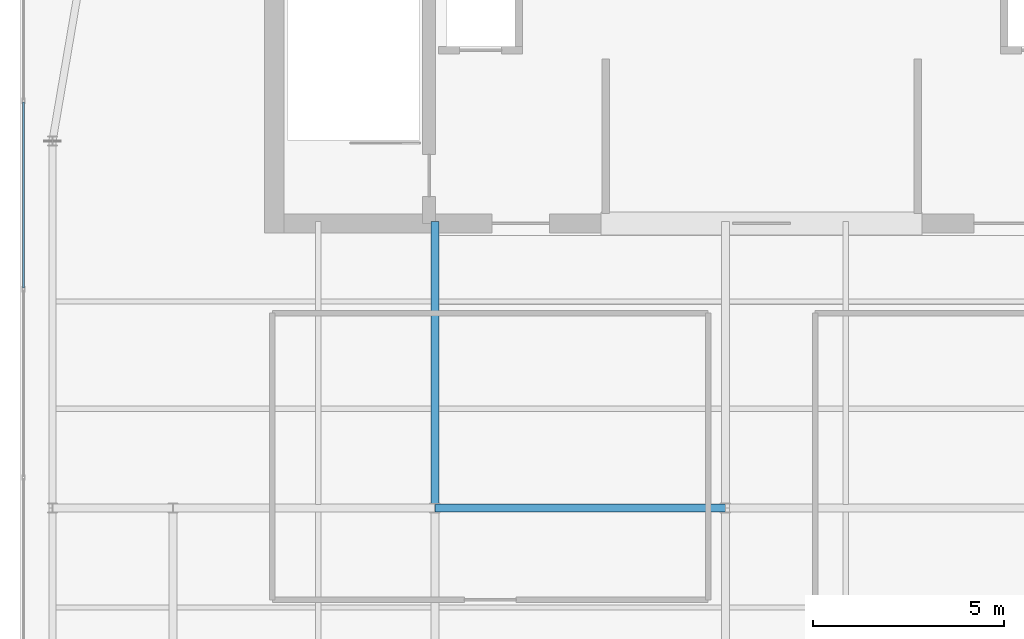
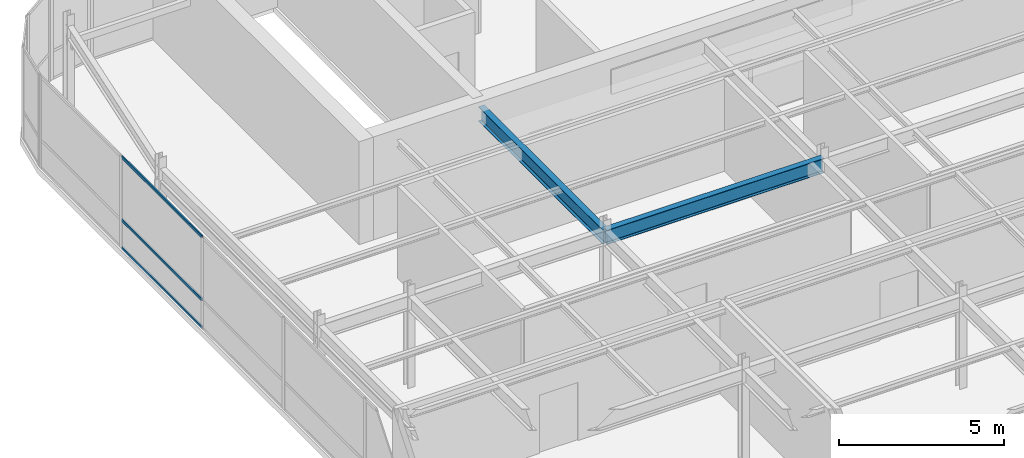
# One storey, part 18 of 35: 3 members, 2 beams, 1 element without a shape of its own.
"""IFC4 building model written with IfcOpenShell, lengths in metres."""

from ifc_helpers import new_model, si_unit, direction, frame, origin, origin_2d, place, context, subcontext, project, spatial, hollow_rectangle, i_section, extrude, source, transform, mapped, material, layer, layer_set, material_profile, profile_set, type_object, type_shapes, element, aggregate, save


model = new_model("IFC4")

# Units and contexts
model_context = context("Model", 3, precision=1e-05, world=origin(), true_north=direction((0.0, 1.0)))
body_context = subcontext(model_context, "Body", "Model", "MODEL_VIEW")
ifc_project = project(units=[si_unit("LENGTHUNIT", "METRE"), si_unit("AREAUNIT", "SQUARE_METRE"), si_unit("VOLUMEUNIT", "CUBIC_METRE"), si_unit("PLANEANGLEUNIT", "RADIAN"), si_unit("MASSUNIT", "GRAM", prefix="KILO")], contexts=[model_context])

# Site, building, storey
site_placement = place(None, origin())
site = spatial("IfcSite", under=ifc_project, at=site_placement, CompositionType="ELEMENT")
building_placement = place(site_placement, origin())
building = spatial("IfcBuilding", under=site, at=building_placement, Name="Tolvann Quenvar Hotel", CompositionType="ELEMENT")
storey_placement = place(building_placement, frame((0.0, 0.0, 309.949951171875)))
storey = spatial("IfcBuildingStorey", under=building, at=storey_placement, Name="L82", CompositionType="ELEMENT", Elevation=309.949951171875)

# Beams
ifc_material_1 = material(Name="Steel Grade 350", Category="steel")
ifc_material_profile_1 = material_profile(ifc_material_1, i_section(OverallWidth=0.208984375, OverallDepth=0.532958984375, WebThickness=0.01025390625, FlangeThickness=0.015625, FilletRadius=0.013916015625, at=origin_2d()), Name="530UB92")
ifc_profile_set_1 = profile_set([ifc_material_profile_1], Name="Steel Grade 350")
beam_type = type_object("IfcBeamType", Name="BM_GIRD_530UB92", PredefinedType="BEAM", material=ifc_profile_set_1)
shared_shape_1 = source(origin(), body_context, "Body", "SweptSolid", [
    extrude(i_section(OverallWidth=0.208984375, OverallDepth=0.532958984375, WebThickness=0.01025390625, FlangeThickness=0.015625, FilletRadius=0.013916015625, at=origin_2d()), origin(), (0.0, 0.0, 1.0), 7.60009765625),
])
beam_1_placement = place(storey_placement, frame((14.449951171875, 24.39990234375, 3.133544921875), z_axis=(1.0, 0.0, 0.0), x_axis=(0.0, 1.0, 0.0)))
element("IfcBeam", 1, at=beam_1_placement, inside=storey, type_object=beam_type, Name="BM-L82-EW-5-D5-E5", PredefinedType="BEAM", context=body_context, shape_type="MappedRepresentation", body=[
    mapped(shared_shape_1, transform((0.0, 0.0, 0.0), x_axis=(1.0, 0.0, 0.0), y_axis=(0.0, 1.0, 0.0), z_axis=(0.0, 0.0, 1.0), scale=1.0)),
])
shared_shape_2 = source(origin(), body_context, "Body", "SweptSolid", [
    extrude(i_section(OverallWidth=0.208984375, OverallDepth=0.532958984375, WebThickness=0.01025390625, FlangeThickness=0.015625, FilletRadius=0.013916015625, at=origin_2d()), origin(), (0.0, 0.0, 1.0), 7.5),
])
type_shapes(beam_type, [shared_shape_1, shared_shape_2])
beam_2_placement = place(storey_placement, frame((14.449951171875, 24.39990234375, 3.133544921875), z_axis=(0.0, 1.0, 0.0), x_axis=(-1.0, 0.0, 0.0)))
element("IfcBeam", 2, at=beam_2_placement, inside=storey, type_object=beam_type, Name="BM-L82-CORE-D5", PredefinedType="BEAM", context=body_context, shape_type="MappedRepresentation", body=[
    mapped(shared_shape_2, transform((0.0, 0.0, 0.0), x_axis=(1.0, 0.0, 0.0), y_axis=(0.0, 1.0, 0.0), z_axis=(0.0, 0.0, 1.0), scale=1.0)),
])

# Curtain wall, members
ifc_material_2 = material(Name="Thermally broken anodised architectural aluminium 6063-T6 and laminated low-E glass", Category="aluminium")
ifc_layer = layer(ifc_material_2, 0.179931640625)
ifc_layer_set = layer_set([ifc_layer], Name="Thermally broken anodised architectural aluminium 6063-T6 and laminated low-E glass")
curtain_wall_type = type_object("IfcCurtainWallType", Name="CW_SYS_LANT_06", PredefinedType="USERDEFINED", material=ifc_layer_set)
curtain_wall_placement = place(storey_placement, origin())
curtain_wall = element("IfcCurtainWall", 3, at=curtain_wall_placement, inside=storey, type_object=curtain_wall_type, Name="Curtain Wall CW-LANT-06 (CWR-L82-E19)", ObjectType="UNITISED CURTAIN WALL", PredefinedType="USERDEFINED")
ifc_material_3 = material(Name="Anodised architectural aluminium 6063-T6 framing", Category="aluminium")
ifc_material_profile_2 = material_profile(ifc_material_3, hollow_rectangle(XDim=0.050048828125, YDim=0.10009765625, WallThickness=0.0029296875, at=origin_2d()), Name="100x50x3RHS")
ifc_profile_set_2 = profile_set([ifc_material_profile_2], Name="Anodised architectural aluminium 6063-T6 framing")
member_type = type_object("IfcMemberType", Name="CW_TRAN_100x50", PredefinedType="USERDEFINED", material=ifc_profile_set_2)
shared_shape_3 = source(origin(), body_context, "Body", "SweptSolid", [
    extrude(hollow_rectangle(XDim=0.050048828125, YDim=0.10009765625, WallThickness=0.0029296875, at=origin_2d()), origin(), (0.0, 0.0, 1.0), 4.862548828125),
])
type_shapes(member_type, [shared_shape_3])
member_1_placement = place(storey_placement, frame((3.68994140625, 35.022705078125, 0.025146484375), z_axis=(0.0, -1.0, 0.0), x_axis=(1.0, 0.0, 0.0)))
member_1 = element("IfcMember", 4, at=member_1_placement, type_object=member_type, Name="CW-LANT-06 transom 2.1", ObjectType="TRANSOM", PredefinedType="USERDEFINED", context=body_context, shape_type="MappedRepresentation", body=[
    mapped(shared_shape_3, transform((0.0, 0.0, 0.0), x_axis=(1.0, 0.0, 0.0), y_axis=(0.0, 1.0, 0.0), z_axis=(0.0, 0.0, 1.0), scale=1.0)),
])
member_2_placement = place(storey_placement, frame((3.68994140625, 35.022705078125, 1.050048828125), z_axis=(0.0, -1.0, 0.0), x_axis=(1.0, 0.0, 0.0)))
member_2 = element("IfcMember", 5, at=member_2_placement, type_object=member_type, Name="CW-LANT-06 transom 2.2", ObjectType="TRANSOM", PredefinedType="USERDEFINED", context=body_context, shape_type="MappedRepresentation", body=[
    mapped(shared_shape_3, transform((0.0, 0.0, 0.0), x_axis=(1.0, 0.0, 0.0), y_axis=(0.0, 1.0, 0.0), z_axis=(0.0, 0.0, 1.0), scale=1.0)),
])
member_3_placement = place(storey_placement, frame((3.68994140625, 35.022705078125, 3.375), z_axis=(0.0, -1.0, 0.0), x_axis=(1.0, 0.0, 0.0)))
member_3 = element("IfcMember", 6, at=member_3_placement, type_object=member_type, Name="CW-LANT-06 transom 2.3", ObjectType="TRANSOM", PredefinedType="USERDEFINED", context=body_context, shape_type="MappedRepresentation", body=[
    mapped(shared_shape_3, transform((0.0, 0.0, 0.0), x_axis=(1.0, 0.0, 0.0), y_axis=(0.0, 1.0, 0.0), z_axis=(0.0, 0.0, 1.0), scale=1.0)),
])
aggregate(curtain_wall, [member_1, member_2, member_3])

save(model, "model.ifc")
